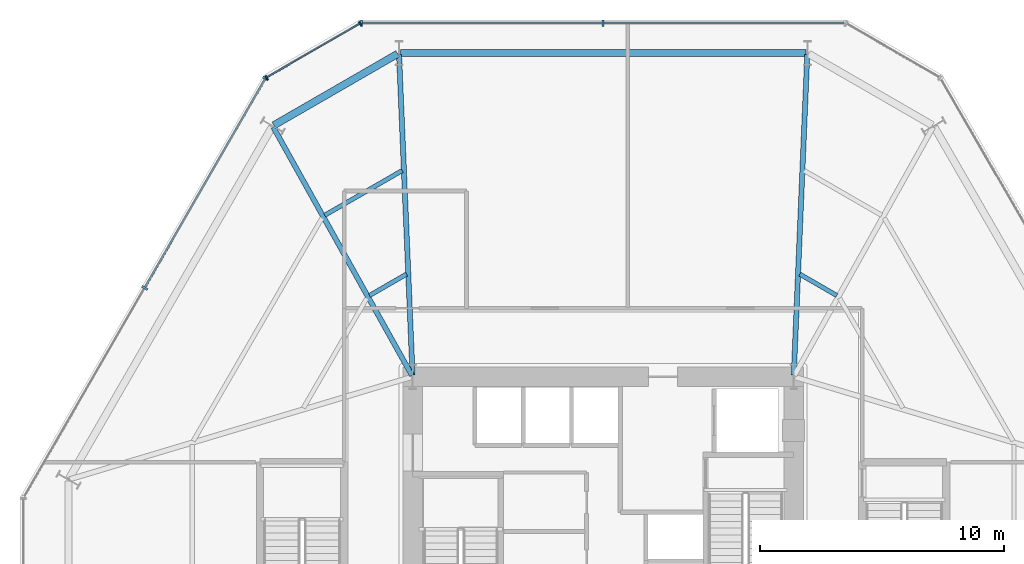
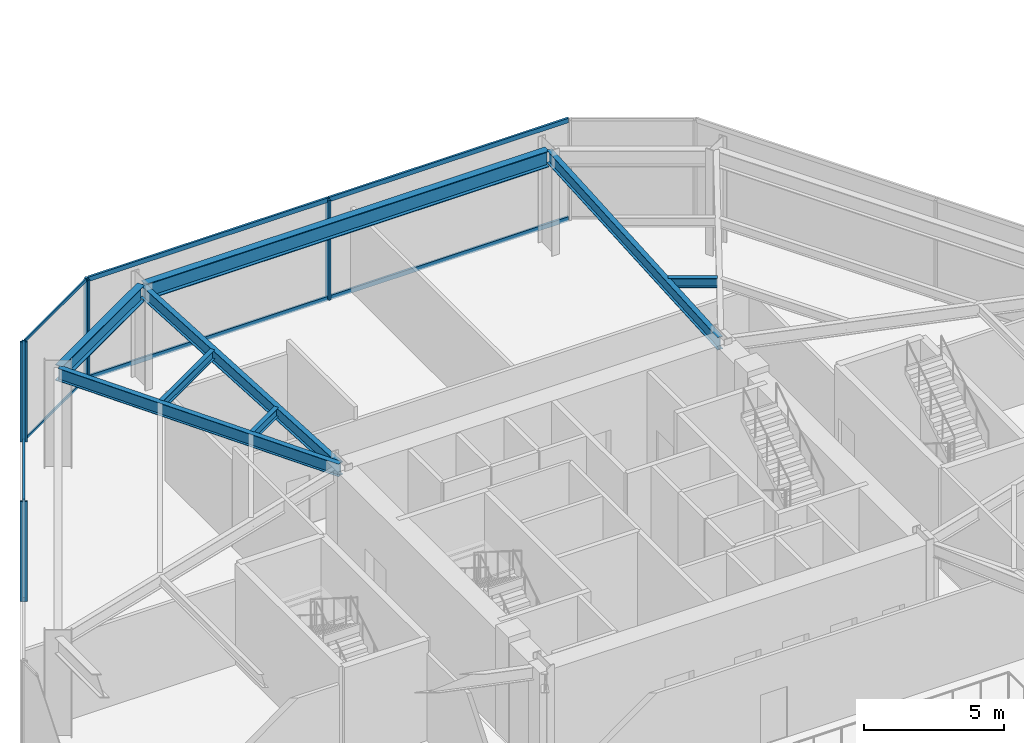
# One storey, part 12 of 22: 14 members, 8 beams, 3 elements without a shape of their own.
"""IFC4 building model written with IfcOpenShell, lengths in metres."""

from ifc_helpers import new_model, si_unit, direction, frame, origin, origin_2d, place, context, subcontext, project, spatial, rectangle, i_section, extrude, material, layer, layer_set, material_profile, profile_set, type_object, element, aggregate, save


model = new_model("IFC4")

# Units and contexts
model_context = context("Model", 3, precision=1e-05, world=origin(), true_north=direction((0.0, 1.0)))
body_context = subcontext(model_context, "Body", "Model", "MODEL_VIEW")
ifc_project = project(units=[si_unit("LENGTHUNIT", "METRE"), si_unit("AREAUNIT", "SQUARE_METRE"), si_unit("VOLUMEUNIT", "CUBIC_METRE"), si_unit("PLANEANGLEUNIT", "RADIAN"), si_unit("MASSUNIT", "GRAM", prefix="KILO")], contexts=[model_context])

# Site, building, storey
site_placement = place(None, origin())
site = spatial("IfcSite", under=ifc_project, at=site_placement, CompositionType="ELEMENT")
building_placement = place(site_placement, origin())
building = spatial("IfcBuilding", under=site, at=building_placement, Name="Kranzbogen Civic Tower", CompositionType="ELEMENT")
storey_placement = place(building_placement, frame((0.0, 0.0, 5.199951171875)))
storey = spatial("IfcBuildingStorey", under=building, at=storey_placement, Name="L01", CompositionType="ELEMENT", Elevation=5.199951171875)

# Curtain wall, members
ifc_material_1 = material(Name="Pale Anodised Aluminium", Category="aluminium")
ifc_layer_1 = layer(ifc_material_1, 0.219970703125, Name="Pale Anodised Aluminium")
ifc_layer_set_1 = layer_set([ifc_layer_1], Name="Pale Anodised Aluminium")
curtain_wall_type_1 = type_object("IfcCurtainWallType", Name="Chamfer Facet Stick Curtain Wall System CW-06", PredefinedType="USERDEFINED", material=ifc_layer_set_1)
curtain_wall_1_placement = place(storey_placement, origin())
curtain_wall_1 = element("IfcCurtainWall", 1, at=curtain_wall_1_placement, inside=storey, type_object=curtain_wall_type_1, Name="L01 curtain wall CW-L01-C2", ObjectType="STICK CURTAIN WALL", PredefinedType="USERDEFINED")
ifc_material_profile_1 = material_profile(ifc_material_1, rectangle(XDim=0.06005859375, YDim=0.159912109375, at=origin_2d()), Name="ALU-M 60x160")
ifc_profile_set_1 = profile_set([ifc_material_profile_1], Name="Pale Anodised Aluminium")
member_type_1 = type_object("IfcMemberType", Name="Curtain Wall Mullion ALU-M 60x160", PredefinedType="MULLION", material=ifc_profile_set_1)
member_1_placement = place(storey_placement, frame((15.0439453125, 46.657958984375, 0.0), z_axis=(0.0, 0.0, 1.0), x_axis=(-0.865992001897, -0.500057849305, 0.0)))
member_1 = element("IfcMember", 2, at=member_1_placement, type_object=member_type_1, Name="CW-06 mullion 1", PredefinedType="MULLION", context=body_context, shape_type="SweptSolid", body=[
    extrude(rectangle(XDim=0.06005859375, YDim=0.159912109375, at=origin_2d()), origin(), (0.0, 0.0, 1.0), 4.340087890625),
])
member_2_placement = place(storey_placement, frame((11.221923828125, 44.450927734375, 0.0), z_axis=(0.0, 0.0, 1.0), x_axis=(-0.865992001897, -0.500057849305, 0.0)))
member_2 = element("IfcMember", 3, at=member_2_placement, type_object=member_type_1, Name="CW-06 mullion 2", PredefinedType="MULLION", context=body_context, shape_type="SweptSolid", body=[
    extrude(rectangle(XDim=0.06005859375, YDim=0.159912109375, at=origin_2d()), origin(), (0.0, 0.0, 1.0), 4.340087890625),
])

ifc_layer_2 = layer(ifc_material_1, 0.219970703125, Name="Pale Anodised Aluminium")
ifc_layer_set_2 = layer_set([ifc_layer_2], Name="Pale Anodised Aluminium")
curtain_wall_type_2 = type_object("IfcCurtainWallType", Name="Podium Stick Curtain Wall System CW-01", PredefinedType="USERDEFINED", material=ifc_layer_set_2)
curtain_wall_2_placement = place(storey_placement, origin())
curtain_wall_2 = element("IfcCurtainWall", 4, at=curtain_wall_2_placement, inside=storey, type_object=curtain_wall_type_2, Name="L01 curtain wall CW-L01-F2", ObjectType="STICK CURTAIN WALL", PredefinedType="USERDEFINED")
ifc_material_profile_2 = material_profile(ifc_material_1, rectangle(XDim=0.0849609375, YDim=0.260009765625, at=origin_2d()), Name="ALU-M 85x260")
ifc_profile_set_2 = profile_set([ifc_material_profile_2], Name="Pale Anodised Aluminium")
member_type_2 = type_object("IfcMemberType", Name="Curtain Wall Mullion ALU-M 85x260", PredefinedType="MULLION", material=ifc_profile_set_2)
member_3_placement = place(storey_placement, frame((25.0, 46.673095703125, 0.0), z_axis=(0.0, 0.0, 1.0), x_axis=(-1.0, 0.0, 0.0)))
member_3 = element("IfcMember", 5, at=member_3_placement, type_object=member_type_2, Name="CW-01 mullion 2", PredefinedType="MULLION", context=body_context, shape_type="SweptSolid", body=[
    extrude(rectangle(XDim=0.0849609375, YDim=0.260009765625, at=origin_2d()), origin(), (0.0, 0.0, 1.0), 4.340087890625),
])
member_4_placement = place(storey_placement, frame((15.10009765625, 46.673095703125, 0.0), z_axis=(0.0, 0.0, 1.0), x_axis=(-1.0, 0.0, 0.0)))
member_4 = element("IfcMember", 6, at=member_4_placement, type_object=member_type_2, Name="CW-01 mullion 3", PredefinedType="MULLION", context=body_context, shape_type="SweptSolid", body=[
    extrude(rectangle(XDim=0.0849609375, YDim=0.260009765625, at=origin_2d()), origin(), (0.0, 0.0, 1.0), 4.340087890625),
])

curtain_wall_3_placement = place(storey_placement, origin())
curtain_wall_3 = element("IfcCurtainWall", 7, at=curtain_wall_3_placement, inside=storey, type_object=curtain_wall_type_2, Name="L01 curtain wall CW-L01-F3", ObjectType="STICK CURTAIN WALL", PredefinedType="USERDEFINED")
member_5_placement = place(storey_placement, frame((11.180908203125, 44.409912109375, 0.0), z_axis=(0.0, 0.0, 1.0), x_axis=(-0.500005767433, -0.86602207393, 0.0)))
member_5 = element("IfcMember", 8, at=member_5_placement, type_object=member_type_2, Name="CW-01 mullion 1", PredefinedType="MULLION", context=body_context, shape_type="SweptSolid", body=[
    extrude(rectangle(XDim=0.0849609375, YDim=0.260009765625, at=origin_2d()), origin(), (0.0, 0.0, 1.0), 4.340087890625),
])
member_6_placement = place(storey_placement, frame((6.23095703125, 35.83642578125, 0.0), z_axis=(0.0, 0.0, 1.0), x_axis=(-0.500005767433, -0.86602207393, 0.0)))
member_6 = element("IfcMember", 9, at=member_6_placement, type_object=member_type_2, Name="CW-01 mullion 2", PredefinedType="MULLION", context=body_context, shape_type="SweptSolid", body=[
    extrude(rectangle(XDim=0.0849609375, YDim=0.260009765625, at=origin_2d()), origin(), (0.0, 0.0, 1.0), 4.340087890625),
])

# Member
ifc_material_profile_3 = material_profile(ifc_material_1, rectangle(XDim=0.06005859375, YDim=0.1201171875, at=origin_2d()), Name="ALU-T 60x120")
ifc_profile_set_3 = profile_set([ifc_material_profile_3], Name="Pale Anodised Aluminium")
member_type_3 = type_object("IfcMemberType", Name="Curtain Wall Transom ALU-T 60x120", PredefinedType="USERDEFINED", material=ifc_profile_set_3)
member_7_placement = place(storey_placement, frame((15.01806640625, 46.64306640625, 0.030029296875), z_axis=(-0.865987588642, -0.500065492029, 0.0), x_axis=(0.500065492029, -0.865987588642, 0.0)))
member_7 = element("IfcMember", 10, at=member_7_placement, type_object=member_type_3, Name="CW-06 transom 1.1", ObjectType="TRANSOM", PredefinedType="USERDEFINED", context=body_context, shape_type="SweptSolid", body=[
    extrude(rectangle(XDim=0.06005859375, YDim=0.1201171875, at=origin_2d()), origin(), (0.0, 0.0, 1.0), 4.353515625),
])

member_8_placement = place(storey_placement, frame((15.01806640625, 46.64306640625, 4.31005859375), z_axis=(-0.865987588642, -0.500065492029, 0.0), x_axis=(0.500065492029, -0.865987588642, 0.0)))
member_8 = element("IfcMember", 11, at=member_8_placement, type_object=member_type_3, Name="CW-06 transom 1.2", ObjectType="TRANSOM", PredefinedType="USERDEFINED", context=body_context, shape_type="SweptSolid", body=[
    extrude(rectangle(XDim=0.06005859375, YDim=0.1201171875, at=origin_2d()), origin(), (0.0, 0.0, 1.0), 4.353515625),
])

aggregate(curtain_wall_1, [member_1, member_2, member_7, member_8])

ifc_material_profile_4 = material_profile(ifc_material_1, rectangle(XDim=0.0849609375, YDim=0.195068359375, at=origin_2d()), Name="ALU-T 85x195")
ifc_profile_set_4 = profile_set([ifc_material_profile_4], Name="Pale Anodised Aluminium")
member_type_4 = type_object("IfcMemberType", Name="Curtain Wall Transom ALU-T 85x195", PredefinedType="USERDEFINED", material=ifc_profile_set_4)
member_9_placement = place(storey_placement, frame((34.8701171875, 46.673095703125, 0.030029296875), z_axis=(-1.0, 0.0, 0.0), x_axis=(0.0, -1.0, 0.0)))
member_9 = element("IfcMember", 12, at=member_9_placement, type_object=member_type_4, Name="CW-01 transom 1.1", ObjectType="TRANSOM", PredefinedType="USERDEFINED", context=body_context, shape_type="SweptSolid", body=[
    extrude(rectangle(XDim=0.0849609375, YDim=0.195068359375, at=origin_2d()), origin(), (0.0, 0.0, 1.0), 9.840087890625),
])

member_10_placement = place(storey_placement, frame((34.8701171875, 46.673095703125, 4.31005859375), z_axis=(-1.0, 0.0, 0.0), x_axis=(0.0, -1.0, 0.0)))
member_10 = element("IfcMember", 13, at=member_10_placement, type_object=member_type_4, Name="CW-01 transom 1.2", ObjectType="TRANSOM", PredefinedType="USERDEFINED", context=body_context, shape_type="SweptSolid", body=[
    extrude(rectangle(XDim=0.0849609375, YDim=0.195068359375, at=origin_2d()), origin(), (0.0, 0.0, 1.0), 9.840087890625),
])

member_11_placement = place(storey_placement, frame((24.969970703125, 46.673095703125, 0.030029296875), z_axis=(-1.0, 0.0, 0.0), x_axis=(0.0, -1.0, 0.0)))
member_11 = element("IfcMember", 14, at=member_11_placement, type_object=member_type_4, Name="CW-01 transom 2.1", ObjectType="TRANSOM", PredefinedType="USERDEFINED", context=body_context, shape_type="SweptSolid", body=[
    extrude(rectangle(XDim=0.0849609375, YDim=0.195068359375, at=origin_2d()), origin(), (0.0, 0.0, 1.0), 9.840087890625),
])

member_12_placement = place(storey_placement, frame((24.969970703125, 46.673095703125, 4.31005859375), z_axis=(-1.0, 0.0, 0.0), x_axis=(0.0, -1.0, 0.0)))
member_12 = element("IfcMember", 15, at=member_12_placement, type_object=member_type_4, Name="CW-01 transom 2.2", ObjectType="TRANSOM", PredefinedType="USERDEFINED", context=body_context, shape_type="SweptSolid", body=[
    extrude(rectangle(XDim=0.0849609375, YDim=0.195068359375, at=origin_2d()), origin(), (0.0, 0.0, 1.0), 9.840087890625),
])

aggregate(curtain_wall_2, [member_3, member_4, member_9, member_10, member_11, member_12])

member_13_placement = place(storey_placement, frame((11.166015625, 44.384033203125, 0.030029296875), z_axis=(-0.500003092839, -0.866023618125, 0.0), x_axis=(0.866023618125, -0.500003092839, 0.0)))
member_13 = element("IfcMember", 16, at=member_13_placement, type_object=member_type_4, Name="CW-01 transom 1.1", ObjectType="TRANSOM", PredefinedType="USERDEFINED", context=body_context, shape_type="SweptSolid", body=[
    extrude(rectangle(XDim=0.0849609375, YDim=0.195068359375, at=origin_2d()), origin(), (0.0, 0.0, 1.0), 9.83984375),
])

member_14_placement = place(storey_placement, frame((11.166015625, 44.384033203125, 4.31005859375), z_axis=(-0.500003092839, -0.866023618125, 0.0), x_axis=(0.866023618125, -0.500003092839, 0.0)))
member_14 = element("IfcMember", 17, at=member_14_placement, type_object=member_type_4, Name="CW-01 transom 1.2", ObjectType="TRANSOM", PredefinedType="USERDEFINED", context=body_context, shape_type="SweptSolid", body=[
    extrude(rectangle(XDim=0.0849609375, YDim=0.195068359375, at=origin_2d()), origin(), (0.0, 0.0, 1.0), 9.83984375),
])

aggregate(curtain_wall_3, [member_5, member_6, member_13, member_14])

# Beams
ifc_material_2 = material(Name="Steel S355", Category="steel")
ifc_material_profile_5 = material_profile(ifc_material_2, i_section(OverallWidth=0.300048828125, OverallDepth=0.699951171875, WebThickness=0.01708984375, FlangeThickness=0.031982421875, at=origin_2d()), Name="HEB 700")
ifc_profile_set_5 = profile_set([ifc_material_profile_5], Name="Steel S355")
beam_type_1 = type_object("IfcBeamType", Name="Perimeter Tube Spandrel Beam HEB 700", PredefinedType="SPANDREL", material=ifc_profile_set_5)
beam_1_placement = place(storey_placement, frame((33.299072265625, 45.449951171875, 3.989990234375), z_axis=(-1.0, 0.0, 0.0), x_axis=(0.0, -1.0, 0.0)))
element("IfcBeam", 18, at=beam_1_placement, inside=storey, type_object=beam_type_1, Name="L01 perimeter spandrel beam 09", PredefinedType="SPANDREL", context=body_context, shape_type="SweptSolid", body=[
    extrude(i_section(OverallWidth=0.300048828125, OverallDepth=0.699951171875, WebThickness=0.01708984375, FlangeThickness=0.031982421875, at=origin_2d()), origin(), (0.0, 0.0, 1.0), 16.59814453125),
])
beam_2_placement = place(storey_placement, frame((16.589111328125, 45.419921875, 3.989990234375), z_axis=(-0.86602927387, -0.499993296755, 0.0), x_axis=(0.499993296755, -0.86602927387, 0.0)))
element("IfcBeam", 19, at=beam_2_placement, inside=storey, type_object=beam_type_1, Name="L01 perimeter spandrel beam 10", PredefinedType="SPANDREL", context=body_context, shape_type="SweptSolid", body=[
    extrude(i_section(OverallWidth=0.300048828125, OverallDepth=0.699951171875, WebThickness=0.01708984375, FlangeThickness=0.031982421875, at=origin_2d()), origin(), (0.0, 0.0, 1.0), 5.85205078125),
])
ifc_material_profile_6 = material_profile(ifc_material_2, i_section(OverallWidth=0.2099609375, OverallDepth=0.550048828125, WebThickness=0.010986328125, FlangeThickness=0.01708984375, at=origin_2d()), Name="IPE 550")
ifc_profile_set_6 = profile_set([ifc_material_profile_6], Name="Steel S355")
beam_type_2 = type_object("IfcBeamType", Name="Radial Tower Floor Girder IPE 550", PredefinedType="BEAM", material=ifc_profile_set_6)
for number, where, z_axis, x_axis, name in (
    (20, (33.35595703125, 45.389892578125, 4.06494140625), (-0.04207872602, -0.999114298174, 0.0), (0.999114298174, -0.04207872602, 0.0), "L01 radial floor girder 09"),
    (21, (16.64404296875, 45.389892578125, 4.06494140625), (0.04207872602, -0.999114298174, 0.0), (0.999114298174, 0.04207872602, 0.0), "L01 radial floor girder 10"),
):
    element("IfcBeam", number, at=place(storey_placement, frame(where, z_axis=z_axis, x_axis=x_axis)), inside=storey, type_object=beam_type_2, Name=name, PredefinedType="BEAM", context=body_context, shape_type="SweptSolid", body=[
        extrude(i_section(OverallWidth=0.2099609375, OverallDepth=0.550048828125, WebThickness=0.010986328125, FlangeThickness=0.01708984375, at=origin_2d()), origin(), (0.0, 0.0, 1.0), 13.1416015625),
    ])
beam_3_placement = place(storey_placement, frame((11.498046875, 42.412109375, 4.06494140625), z_axis=(0.487501570266, -0.87312211001, 0.0), x_axis=(0.87312211001, 0.487501570266, 0.0)))
element("IfcBeam", 22, at=beam_3_placement, inside=storey, type_object=beam_type_2, Name="L01 radial floor girder 11", PredefinedType="BEAM", context=body_context, shape_type="SweptSolid", body=[
    extrude(i_section(OverallWidth=0.2099609375, OverallDepth=0.550048828125, WebThickness=0.010986328125, FlangeThickness=0.01708984375, at=origin_2d()), origin(), (0.0, 0.0, 1.0), 11.636474609375),
])
ifc_material_profile_7 = material_profile(ifc_material_2, i_section(OverallWidth=0.179931640625, OverallDepth=0.39990234375, WebThickness=0.008544921875, FlangeThickness=0.013427734375, at=origin_2d()), Name="IPE 400")
ifc_profile_set_7 = profile_set([ifc_material_profile_7], Name="Steel S355")
beam_type_3 = type_object("IfcBeamType", Name="Secondary Composite Floor Joist IPE 400", PredefinedType="JOIST", material=ifc_profile_set_7)
beam_4_placement = place(storey_placement, frame((34.56494140625, 35.52392578125, 4.14013671875), z_axis=(-0.86596970562, 0.500096459644, 0.0), x_axis=(-0.500096459644, -0.86596970562, 0.0)))
element("IfcBeam", 23, at=beam_4_placement, inside=storey, type_object=beam_type_3, Name="L01 secondary floor joist 2.08", PredefinedType="JOIST", context=body_context, shape_type="SweptSolid", body=[
    extrude(i_section(OverallWidth=0.179931640625, OverallDepth=0.39990234375, WebThickness=0.008544921875, FlangeThickness=0.013427734375, at=origin_2d()), origin(), (0.0, 0.0, 1.0), 1.751708984375),
])
beam_5_placement = place(storey_placement, frame((16.77294921875, 40.639892578125, 4.14013671875), z_axis=(-0.866081244924, -0.499903267833, 0.0), x_axis=(0.499903267833, -0.866081244924, 0.0)))
element("IfcBeam", 24, at=beam_5_placement, inside=storey, type_object=beam_type_3, Name="L01 secondary floor joist 1.10", PredefinedType="JOIST", context=body_context, shape_type="SweptSolid", body=[
    extrude(i_section(OverallWidth=0.179931640625, OverallDepth=0.39990234375, WebThickness=0.008544921875, FlangeThickness=0.013427734375, at=origin_2d()), origin(), (0.0, 0.0, 1.0), 3.662353515625),
])
beam_6_placement = place(storey_placement, frame((16.951904296875, 36.39990234375, 4.14013671875), z_axis=(-0.86596970562, -0.500096459644, 0.0), x_axis=(0.500096459644, -0.86596970562, 0.0)))
element("IfcBeam", 25, at=beam_6_placement, inside=storey, type_object=beam_type_3, Name="L01 secondary floor joist 2.10", PredefinedType="JOIST", context=body_context, shape_type="SweptSolid", body=[
    extrude(i_section(OverallWidth=0.179931640625, OverallDepth=0.39990234375, WebThickness=0.008544921875, FlangeThickness=0.013427734375, at=origin_2d()), origin(), (0.0, 0.0, 1.0), 1.751708984375),
])

save(model, "model.ifc")
